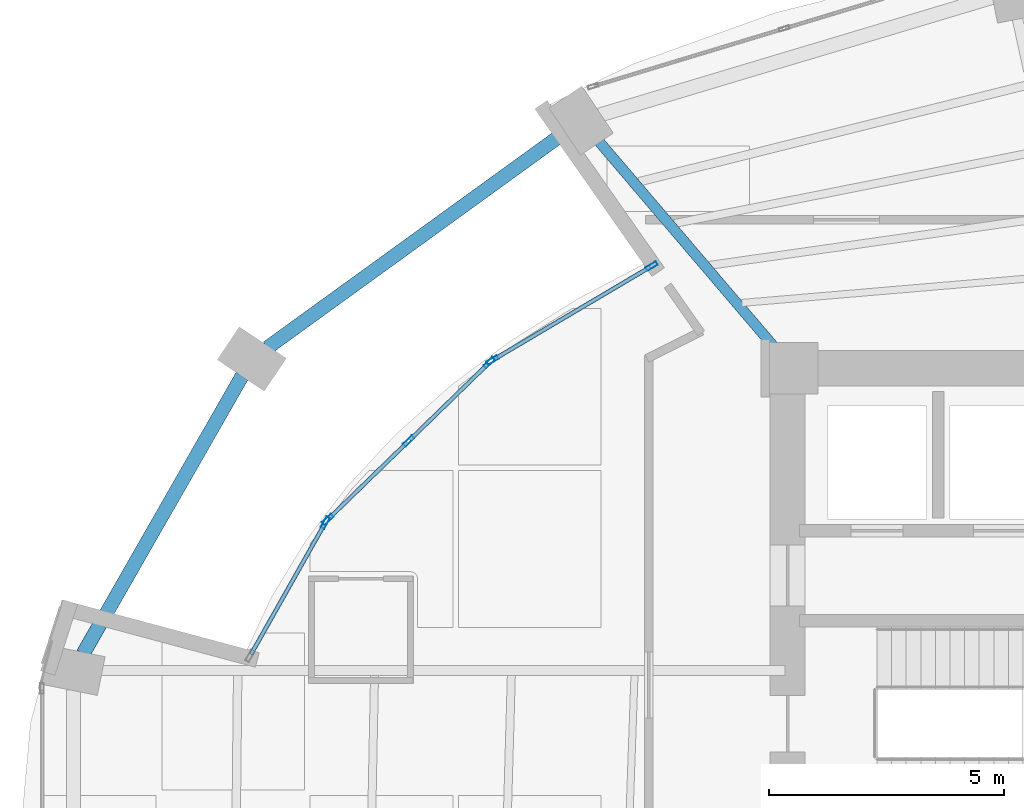
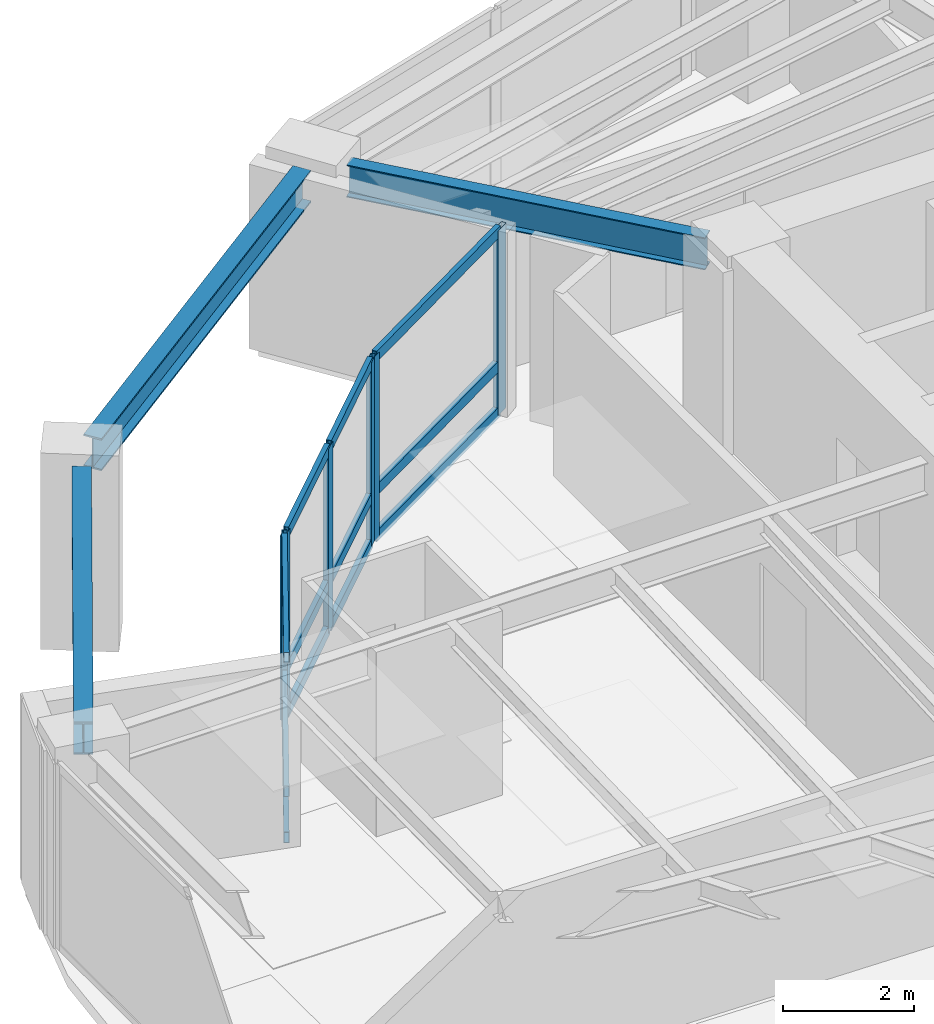
# One storey, part 9 of 24: 18 members, 3 beams, 3 elements without a shape of their own.
"""IFC4 building model written with IfcOpenShell, lengths in metres."""

import ifcopenshell
import ifcopenshell.guid

model = None  # the IFC model being written
_history = None  # IfcOwnerHistory: only IFC2X3 demands one
_inside = {}  # id of a spatial element -> (the spatial element, [elements in it])
_under = {}  # id of a project, library or spatial element -> (it, [spatial elements below it])
_declared = {}  # id of a project -> (the project, [libraries it declares])
_typed = {}  # id of a type object -> (the type object, [elements of that type])
_made_of = {}  # id of a material, layer set ... -> (it, [elements and type objects made of it])


def new_model(schema):
    """Start an empty IFC model of exactly this schema.

    Asked for "IFC4X3", IfcOpenShell would pick the latest addendum, in which some entities
    have other attributes; the version numbers below select the first issue.
    IFC2X3 requires an IfcOwnerHistory on every rooted entity: one is made here for all.
    """
    global model, _history
    if schema == "IFC4X3":
        model = ifcopenshell.file(schema_version=(4, 3, 0, 0))
    else:
        model = ifcopenshell.file(schema=schema)
    _inside.clear()
    _under.clear()
    _declared.clear()
    _typed.clear()
    _made_of.clear()
    _history = None
    if model.schema == "IFC2X3":
        org = make("IfcOrganization", Name="unknown")
        user = make(
            "IfcPersonAndOrganization",
            ThePerson=make("IfcPerson", FamilyName="unknown"),
            TheOrganization=org,
        )
        app = make(
            "IfcApplication",
            ApplicationDeveloper=org,
            Version="unknown",
            ApplicationFullName="unknown",
            ApplicationIdentifier="unknown",
        )
        _history = make(
            "IfcOwnerHistory",
            OwningUser=user,
            OwningApplication=app,
            ChangeAction="ADDED",
            CreationDate=0,
        )
    return model


def make(cls, **values):
    """One entity of the class cls with the attributes given. An attribute that is None is left unset."""
    return model.create_entity(
        cls, **{name: value for name, value in values.items() if value is not None}
    )


def rooted(cls, **values):
    """An entity with a GlobalId (a new one), such as an element, a storey or a relation."""
    return make(cls, GlobalId=ifcopenshell.guid.new(), OwnerHistory=_history, **values)


def si_unit(unit_type, name, prefix=None):
    """IfcSIUnit, for example si_unit("LENGTHUNIT", "METRE", prefix="MILLI")."""
    return make("IfcSIUnit", UnitType=unit_type, Prefix=prefix, Name=name)


def assignment(units):
    """IfcUnitAssignment: the units of a project."""
    return None if units is None else make("IfcUnitAssignment", Units=units)


def point(xyz):
    """IfcCartesianPoint."""
    return None if xyz is None else make("IfcCartesianPoint", Coordinates=xyz)


def direction(xyz):
    """IfcDirection."""
    return None if xyz is None else make("IfcDirection", DirectionRatios=xyz)


def frame(location, z_axis=None, x_axis=None):
    """IfcAxis2Placement3D, a coordinate frame: its origin and axes. An axis left out is left unset."""
    return make(
        "IfcAxis2Placement3D",
        Location=point(location),
        Axis=direction(z_axis),
        RefDirection=direction(x_axis),
    )


def frame_2d(location, x_axis=None):
    """IfcAxis2Placement2D, a coordinate frame in the plane: its origin and x axis."""
    return make(
        "IfcAxis2Placement2D", Location=point(location), RefDirection=direction(x_axis)
    )


def origin():
    """The frame at (0, 0, 0) with its axes left unset."""
    return frame((0.0, 0.0, 0.0))


def origin_2d():
    """The frame at (0, 0) in the plane with its x axis left unset."""
    return frame_2d((0.0, 0.0))


def place(relative_to, where):
    """IfcLocalPlacement: puts the frame where relative to a parent placement (None: the world)."""
    return make(
        "IfcLocalPlacement", PlacementRelTo=relative_to, RelativePlacement=where
    )


def context(
    kind, dimensions, precision=None, world=None, true_north=None, identifier=None
):
    """IfcGeometricRepresentationContext, for example the 3D "Model" context."""
    return make(
        "IfcGeometricRepresentationContext",
        ContextIdentifier=identifier,
        ContextType=kind,
        CoordinateSpaceDimension=dimensions,
        Precision=precision,
        WorldCoordinateSystem=world,
        TrueNorth=true_north,
    )


def subcontext(parent, identifier, kind, view, scale=None):
    """IfcGeometricRepresentationSubContext, for example "Body" below "Model"."""
    return make(
        "IfcGeometricRepresentationSubContext",
        ContextIdentifier=identifier,
        ContextType=kind,
        ParentContext=parent,
        TargetScale=scale,
        TargetView=view,
    )


def project(units=None, contexts=None):
    """IfcProject with its units and contexts."""
    return rooted(
        "IfcProject",
        Name="project",
        RepresentationContexts=contexts,
        UnitsInContext=assignment(units),
    )


def spatial(cls, under=None, at=None, **own):
    """A site, building, storey or space (cls), placed at a placement, below another one or the project."""
    s = rooted(cls, ObjectPlacement=at, **own)
    if under is not None:
        _under.setdefault(under.id(), (under, []))[1].append(s)
    return s


def profile(cls, at=None, kind="AREA", **sizes):
    """A parametric profile (cls). Its sizes go by their IFC names, for example OverallWidth=200.0."""
    return make(cls, ProfileType=kind, Position=at, **sizes)


def hollow_rectangle(**sizes):
    """IfcRectangleHollowProfileDef."""
    return profile("IfcRectangleHollowProfileDef", **sizes)


def i_section(**sizes):
    """IfcIShapeProfileDef."""
    return profile("IfcIShapeProfileDef", **sizes)


def extrude(swept, where, along, depth):
    """IfcExtrudedAreaSolid: the profile swept, set in the frame where, extruded along a direction by depth."""
    return make(
        "IfcExtrudedAreaSolid",
        SweptArea=swept,
        Position=where,
        ExtrudedDirection=direction(along),
        Depth=depth,
    )


def shape(context_of_items, identifier, shape_type, items):
    """IfcShapeRepresentation: the items that make up one representation, for example the "Body"."""
    return make(
        "IfcShapeRepresentation",
        ContextOfItems=context_of_items,
        RepresentationIdentifier=identifier,
        RepresentationType=shape_type,
        Items=items,
    )


def material(Name=None, Category=None):
    """IfcMaterial."""
    return make("IfcMaterial", Name=Name, Category=Category)


def layer(
    of_material, thickness, ventilated=None, Name=None, Category=None, Priority=None
):
    """IfcMaterialLayer: one layer of a wall or slab, of a material (None: an air gap)."""
    return make(
        "IfcMaterialLayer",
        Material=of_material,
        LayerThickness=thickness,
        IsVentilated=ventilated,
        Name=Name,
        Category=Category,
        Priority=Priority,
    )


def layer_set(layers, Name=None):
    """IfcMaterialLayerSet."""
    return make("IfcMaterialLayerSet", MaterialLayers=layers, LayerSetName=Name)


def material_profile(
    of_material, cross_section, Name=None, Category=None, Priority=None
):
    """IfcMaterialProfile: a cross section and its material."""
    return make(
        "IfcMaterialProfile",
        Name=Name,
        Material=of_material,
        Profile=cross_section,
        Priority=Priority,
        Category=Category,
    )


def profile_set(profiles, Name=None, composite=None):
    """IfcMaterialProfileSet."""
    return make(
        "IfcMaterialProfileSet",
        Name=Name,
        MaterialProfiles=profiles,
        CompositeProfile=composite,
    )


def made_of(thing, what):
    """Note that an element or type object is made of a material, layer set ...; save() writes the relation."""
    if what is not None:
        _made_of.setdefault(what.id(), (what, []))[1].append(thing)
    return thing


def type_object(cls, material=None, **own):
    """A type object (cls), such as IfcWallType, which elements share."""
    return made_of(rooted(cls, **own), material)


def element(
    cls,
    number,
    at=None,
    inside=None,
    cuts=None,
    type_object=None,
    material=None,
    context=None,
    identifier="Body",
    shape_type=None,
    held_by="IfcProductDefinitionShape",
    body=None,
    shapes=None,
    **own,
):
    """One element of the class cls, such as IfcWall. Its Tag is "e" and its number.

    at: its placement. inside: the storey or other place that contains it. cuts: it is an
    opening in that element (IfcRelVoidsElement). A single representation is given by context,
    identifier, shape_type and body (its items); several are given by shapes. held_by: the class
    of the entity that holds the representations. save() writes the other relations.
    """
    e = rooted(cls, Tag="e%d" % number, ObjectPlacement=at, **own)
    if body is not None:
        shapes = [shape(context, identifier, shape_type, body)]
    if shapes is not None:
        e.Representation = make(held_by, Representations=shapes)
    if inside is not None:
        _inside.setdefault(inside.id(), (inside, []))[1].append(e)
    if cuts is not None:
        rooted(
            "IfcRelVoidsElement", RelatingBuildingElement=cuts, RelatedOpeningElement=e
        )
    if type_object is not None:
        _typed.setdefault(type_object.id(), (type_object, []))[1].append(e)
    return made_of(e, material)


def aggregate(whole, parts):
    """IfcRelAggregates: a whole, such as a stair, and the parts it consists of."""
    return rooted("IfcRelAggregates", RelatingObject=whole, RelatedObjects=parts)


def save(model, path):
    """Write the relations noted so far, then the file.

    IfcRelAggregates (storeys below a building ...), IfcRelContainedInSpatialStructure (elements
    in a storey), IfcRelDefinesByType, IfcRelAssociatesMaterial and IfcRelDeclares: one each for
    every whole, place, type object, material and project.
    """
    for whole, parts in _under.values():
        aggregate(whole, parts)
    for where, things in _inside.values():
        rooted(
            "IfcRelContainedInSpatialStructure",
            RelatedElements=things,
            RelatingStructure=where,
        )
    for kind, things in _typed.values():
        rooted("IfcRelDefinesByType", RelatedObjects=things, RelatingType=kind)
    for what, things in _made_of.values():
        rooted("IfcRelAssociatesMaterial", RelatedObjects=things, RelatingMaterial=what)
    for by, libraries in _declared.values():
        rooted("IfcRelDeclares", RelatingContext=by, RelatedDefinitions=libraries)
    model.write(path)


model = new_model("IFC4")

# Units and contexts
model_context = context("Model", 3, precision=1e-05, world=origin(), true_north=direction((0.0, 1.0)))
body_context = subcontext(model_context, "Body", "Model", "MODEL_VIEW")
ifc_project = project(units=[si_unit("LENGTHUNIT", "METRE"), si_unit("AREAUNIT", "SQUARE_METRE"), si_unit("VOLUMEUNIT", "CUBIC_METRE"), si_unit("PLANEANGLEUNIT", "RADIAN"), si_unit("MASSUNIT", "GRAM", prefix="KILO")], contexts=[model_context])

# Site, building, storey
site_placement = place(None, origin())
site = spatial("IfcSite", under=ifc_project, at=site_placement, CompositionType="ELEMENT")
building_placement = place(site_placement, origin())
building = spatial("IfcBuilding", under=site, at=building_placement, Name="Lazwardi Medical Tower", CompositionType="ELEMENT")
storey_placement = place(building_placement, frame((0.0, 0.0, 114.575927734375)))
storey = spatial("IfcBuildingStorey", under=building, at=storey_placement, Name="L29", CompositionType="ELEMENT", Elevation=114.575927734375)

# Beams
ifc_material_1 = material(Name="Steel S355", Category="steel")
ifc_material_profile_1 = material_profile(ifc_material_1, i_section(OverallWidth=0.300048828125, OverallDepth=0.60009765625, WebThickness=0.015380859375, FlangeThickness=0.030029296875, at=origin_2d()), Name="HEB 600")
ifc_profile_set_1 = profile_set([ifc_material_profile_1], Name="Steel S355")
beam_type_1 = type_object("IfcBeamType", Name="BM-RB-Z2", PredefinedType="BEAM", material=ifc_profile_set_1)
beam_1_placement = place(storey_placement, frame((21.584228515625, 40.6171875, 3.128173828125), z_axis=(-0.810041907649, -0.586371987609, 0.0), x_axis=(0.586371987609, -0.810041907649, 0.0)))
element("IfcBeam", 1, at=beam_1_placement, inside=storey, type_object=beam_type_1, Name="Ring beam RB-03 B10 L29", PredefinedType="BEAM", context=body_context, shape_type="SweptSolid", body=[
    extrude(i_section(OverallWidth=0.300048828125, OverallDepth=0.60009765625, WebThickness=0.015380859375, FlangeThickness=0.030029296875, at=origin_2d()), origin(), (0.0, 0.0, 1.0), 7.814208984375),
])
beam_2_placement = place(storey_placement, frame((14.718505859375, 35.438720703125, 3.128173828125), z_axis=(-0.496653025517, -0.867949176072, 0.0), x_axis=(0.867949176072, -0.496653025517, 0.0)))
element("IfcBeam", 2, at=beam_2_placement, inside=storey, type_object=beam_type_1, Name="Ring beam RB-03 B11 L29", PredefinedType="BEAM", context=body_context, shape_type="SweptSolid", body=[
    extrude(i_section(OverallWidth=0.300048828125, OverallDepth=0.60009765625, WebThickness=0.015380859375, FlangeThickness=0.030029296875, at=origin_2d()), origin(), (0.0, 0.0, 1.0), 6.80078125),
])
ifc_material_profile_2 = material_profile(ifc_material_1, i_section(OverallWidth=0.219970703125, OverallDepth=0.60009765625, WebThickness=0.011962890625, FlangeThickness=0.01904296875, at=origin_2d()), Name="IPE 600")
ifc_profile_set_2 = profile_set([ifc_material_profile_2], Name="Steel S355")
beam_type_2 = type_object("IfcBeamType", Name="BM-RG-W1", PredefinedType="BEAM", material=ifc_profile_set_2)
beam_3_placement = place(storey_placement, frame((22.292724609375, 40.416259765625, 3.128173828125), z_axis=(0.648870567436, -0.760898801889, 0.0), x_axis=(0.760898801889, 0.648870567436, 0.0)))
element("IfcBeam", 3, at=beam_3_placement, inside=storey, type_object=beam_type_2, Name="Radial girder RG-02 R10 L29", PredefinedType="BEAM", context=body_context, shape_type="SweptSolid", body=[
    extrude(i_section(OverallWidth=0.219970703125, OverallDepth=0.60009765625, WebThickness=0.011962890625, FlangeThickness=0.01904296875, at=origin_2d()), origin(), (0.0, 0.0, 1.0), 5.794677734375),
])

# Curtain wall, members
ifc_material_2 = material(Name="Anodised bronze aluminium and solar control glazing", Category="aluminium")
ifc_layer = layer(ifc_material_2, 0.239990234375)
ifc_layer_set = layer_set([ifc_layer], Name="Anodised bronze aluminium and solar control glazing")
curtain_wall_type = type_object("IfcCurtainWallType", Name="CW-SYS-05", PredefinedType="NOTDEFINED", material=ifc_layer_set)
curtain_wall_1_placement = place(storey_placement, origin())
curtain_wall_1 = element("IfcCurtainWall", 4, at=curtain_wall_1_placement, inside=storey, type_object=curtain_wall_type, Name="L29 Unitised bronze curtain wall CW-05", PredefinedType="NOTDEFINED")
ifc_material_3 = material(Name="Anodised bronze aluminium", Category="aluminium")
ifc_material_profile_3 = material_profile(ifc_material_3, hollow_rectangle(XDim=0.0849609375, YDim=0.260009765625, WallThickness=0.0048828125, at=origin_2d()), Name="ALU-MULLION 260x85x5")
ifc_profile_set_3 = profile_set([ifc_material_profile_3], Name="Anodised bronze aluminium")
member_type_1 = type_object("IfcMemberType", Name="CW-MUL-02", PredefinedType="MULLION", material=ifc_profile_set_3)
member_1_placement = place(storey_placement, frame((23.41357421875, 37.767333984375, 0.0), z_axis=(0.0, 0.0, 1.0), x_axis=(0.508918324488, -0.860814811095, 0.0)))
member_1 = element("IfcMember", 5, at=member_1_placement, type_object=member_type_1, Name="CW-05 mullion 1", PredefinedType="MULLION", context=body_context, shape_type="SweptSolid", body=[
    extrude(hollow_rectangle(XDim=0.0849609375, YDim=0.260009765625, WallThickness=0.0048828125, at=origin_2d()), origin(), (0.0, 0.0, 1.0), 3.427978515625),
])
member_2_placement = place(storey_placement, frame((20.03466796875, 35.769775390625, 0.0), z_axis=(0.0, 0.0, 1.0), x_axis=(0.508918324488, -0.860814811095, 0.0)))
member_2 = element("IfcMember", 6, at=member_2_placement, type_object=member_type_1, Name="CW-05 mullion 2", PredefinedType="MULLION", context=body_context, shape_type="SweptSolid", body=[
    extrude(hollow_rectangle(XDim=0.0849609375, YDim=0.260009765625, WallThickness=0.0048828125, at=origin_2d()), origin(), (0.0, 0.0, 1.0), 3.427978515625),
])

# Curtain wall, member
curtain_wall_2_placement = place(storey_placement, origin())
curtain_wall_2 = element("IfcCurtainWall", 7, at=curtain_wall_2_placement, inside=storey, type_object=curtain_wall_type, Name="L29 Unitised bronze curtain wall CW-05", PredefinedType="NOTDEFINED")
member_3_placement = place(storey_placement, frame((16.48388671875, 32.318359375, 0.0), z_axis=(0.0, 0.0, 1.0), x_axis=(0.870845840727, -0.491556224341, 0.0)))
member_3 = element("IfcMember", 8, at=member_3_placement, type_object=member_type_1, Name="CW-05 mullion 1", PredefinedType="MULLION", context=body_context, shape_type="SweptSolid", body=[
    extrude(hollow_rectangle(XDim=0.0849609375, YDim=0.260009765625, WallThickness=0.0048828125, at=origin_2d()), origin(), (0.0, 0.0, 1.0), 3.427978515625),
])

# Curtain wall, members
curtain_wall_3_placement = place(storey_placement, origin())
curtain_wall_3 = element("IfcCurtainWall", 9, at=curtain_wall_3_placement, inside=storey, type_object=curtain_wall_type, Name="L29 Unitised bronze curtain wall CW-05", PredefinedType="NOTDEFINED")
member_4_placement = place(storey_placement, frame((19.967529296875, 35.718505859375, 0.0), z_axis=(0.0, 0.0, 1.0), x_axis=(0.696712326756, -0.717350635147, 0.0)))
member_4 = element("IfcMember", 10, at=member_4_placement, type_object=member_type_1, Name="CW-05 mullion 1", PredefinedType="MULLION", context=body_context, shape_type="SweptSolid", body=[
    extrude(hollow_rectangle(XDim=0.0849609375, YDim=0.260009765625, WallThickness=0.0048828125, at=origin_2d()), origin(), (0.0, 0.0, 1.0), 3.427978515625),
])
member_5_placement = place(storey_placement, frame((18.25146484375, 34.0517578125, 0.0), z_axis=(0.0, 0.0, 1.0), x_axis=(0.696712326756, -0.717350635147, 0.0)))
member_5 = element("IfcMember", 11, at=member_5_placement, type_object=member_type_1, Name="CW-05 mullion 2", PredefinedType="MULLION", context=body_context, shape_type="SweptSolid", body=[
    extrude(hollow_rectangle(XDim=0.0849609375, YDim=0.260009765625, WallThickness=0.0048828125, at=origin_2d()), origin(), (0.0, 0.0, 1.0), 3.427978515625),
])
member_6_placement = place(storey_placement, frame((16.535400390625, 32.385009765625, 0.0), z_axis=(0.0, 0.0, 1.0), x_axis=(0.696712326756, -0.717350635147, 0.0)))
member_6 = element("IfcMember", 12, at=member_6_placement, type_object=member_type_1, Name="CW-05 mullion 3", PredefinedType="MULLION", context=body_context, shape_type="SweptSolid", body=[
    extrude(hollow_rectangle(XDim=0.0849609375, YDim=0.260009765625, WallThickness=0.0048828125, at=origin_2d()), origin(), (0.0, 0.0, 1.0), 3.427978515625),
])

# Member
ifc_material_profile_4 = material_profile(ifc_material_3, hollow_rectangle(XDim=0.0849609375, YDim=0.199951171875, WallThickness=0.00439453125, at=origin_2d()), Name="ALU-TRANSOM 200x85x4.5")
ifc_profile_set_4 = profile_set([ifc_material_profile_4], Name="Anodised bronze aluminium")
member_type_2 = type_object("IfcMemberType", Name="CW-TRN-02", PredefinedType="USERDEFINED", material=ifc_profile_set_4)
member_7_placement = place(storey_placement, frame((23.376953125, 37.745849609375, 0.04248046875), z_axis=(-0.86078474446, -0.508969177559, 0.0), x_axis=(0.508969177559, -0.86078474446, 0.0)))
member_7 = element("IfcMember", 13, at=member_7_placement, type_object=member_type_2, Name="CW-05 transom 1.1", ObjectType="TRANSOM", PredefinedType="USERDEFINED", context=body_context, shape_type="SweptSolid", body=[
    extrude(hollow_rectangle(XDim=0.0849609375, YDim=0.199951171875, WallThickness=0.00439453125, at=origin_2d()), origin(), (0.0, 0.0, 1.0), 3.84033203125),
])

member_8_placement = place(storey_placement, frame((23.376953125, 37.745849609375, 0.900146484375), z_axis=(-0.86078474446, -0.508969177559, 0.0), x_axis=(0.508969177559, -0.86078474446, 0.0)))
member_8 = element("IfcMember", 14, at=member_8_placement, type_object=member_type_2, Name="CW-05 transom 1.2", ObjectType="TRANSOM", PredefinedType="USERDEFINED", context=body_context, shape_type="SweptSolid", body=[
    extrude(hollow_rectangle(XDim=0.0849609375, YDim=0.199951171875, WallThickness=0.00439453125, at=origin_2d()), origin(), (0.0, 0.0, 1.0), 3.84033203125),
])

member_9_placement = place(storey_placement, frame((23.376953125, 37.745849609375, 3.385498046875), z_axis=(-0.86078474446, -0.508969177559, 0.0), x_axis=(0.508969177559, -0.86078474446, 0.0)))
member_9 = element("IfcMember", 15, at=member_9_placement, type_object=member_type_2, Name="CW-05 transom 1.3", ObjectType="TRANSOM", PredefinedType="USERDEFINED", context=body_context, shape_type="SweptSolid", body=[
    extrude(hollow_rectangle(XDim=0.0849609375, YDim=0.199951171875, WallThickness=0.00439453125, at=origin_2d()), origin(), (0.0, 0.0, 1.0), 3.84033203125),
])

aggregate(curtain_wall_1, [member_1, member_2, member_7, member_8, member_9])

member_10_placement = place(storey_placement, frame((16.463134765625, 32.281494140625, 0.04248046875), z_axis=(-0.491571725412, -0.870837090836, 0.0), x_axis=(0.870837090836, -0.491571725412, 0.0)))
member_10 = element("IfcMember", 16, at=member_10_placement, type_object=member_type_2, Name="CW-05 transom 1.1", ObjectType="TRANSOM", PredefinedType="USERDEFINED", context=body_context, shape_type="SweptSolid", body=[
    extrude(hollow_rectangle(XDim=0.0849609375, YDim=0.199951171875, WallThickness=0.00439453125, at=origin_2d()), origin(), (0.0, 0.0, 1.0), 3.165283203125),
])

member_11_placement = place(storey_placement, frame((16.463134765625, 32.281494140625, 0.900146484375), z_axis=(-0.491571725412, -0.870837090836, 0.0), x_axis=(0.870837090836, -0.491571725412, 0.0)))
member_11 = element("IfcMember", 17, at=member_11_placement, type_object=member_type_2, Name="CW-05 transom 1.2", ObjectType="TRANSOM", PredefinedType="USERDEFINED", context=body_context, shape_type="SweptSolid", body=[
    extrude(hollow_rectangle(XDim=0.0849609375, YDim=0.199951171875, WallThickness=0.00439453125, at=origin_2d()), origin(), (0.0, 0.0, 1.0), 3.165283203125),
])

member_12_placement = place(storey_placement, frame((16.463134765625, 32.281494140625, 3.385498046875), z_axis=(-0.491571725412, -0.870837090836, 0.0), x_axis=(0.870837090836, -0.491571725412, 0.0)))
member_12 = element("IfcMember", 18, at=member_12_placement, type_object=member_type_2, Name="CW-05 transom 1.3", ObjectType="TRANSOM", PredefinedType="USERDEFINED", context=body_context, shape_type="SweptSolid", body=[
    extrude(hollow_rectangle(XDim=0.0849609375, YDim=0.199951171875, WallThickness=0.00439453125, at=origin_2d()), origin(), (0.0, 0.0, 1.0), 3.165283203125),
])

aggregate(curtain_wall_2, [member_3, member_10, member_11, member_12])

member_13_placement = place(storey_placement, frame((19.93701171875, 35.68896484375, 0.04248046875), z_axis=(-0.71729600119, -0.696768574691, 0.0), x_axis=(0.696768574691, -0.71729600119, 0.0)))
member_13 = element("IfcMember", 19, at=member_13_placement, type_object=member_type_2, Name="CW-05 transom 1.1", ObjectType="TRANSOM", PredefinedType="USERDEFINED", context=body_context, shape_type="SweptSolid", body=[
    extrude(hollow_rectangle(XDim=0.0849609375, YDim=0.199951171875, WallThickness=0.00439453125, at=origin_2d()), origin(), (0.0, 0.0, 1.0), 2.307373046875),
])

member_14_placement = place(storey_placement, frame((19.93701171875, 35.68896484375, 0.900146484375), z_axis=(-0.71729600119, -0.696768574691, 0.0), x_axis=(0.696768574691, -0.71729600119, 0.0)))
member_14 = element("IfcMember", 20, at=member_14_placement, type_object=member_type_2, Name="CW-05 transom 1.2", ObjectType="TRANSOM", PredefinedType="USERDEFINED", context=body_context, shape_type="SweptSolid", body=[
    extrude(hollow_rectangle(XDim=0.0849609375, YDim=0.199951171875, WallThickness=0.00439453125, at=origin_2d()), origin(), (0.0, 0.0, 1.0), 2.307373046875),
])

member_15_placement = place(storey_placement, frame((19.93701171875, 35.68896484375, 3.385498046875), z_axis=(-0.71729600119, -0.696768574691, 0.0), x_axis=(0.696768574691, -0.71729600119, 0.0)))
member_15 = element("IfcMember", 21, at=member_15_placement, type_object=member_type_2, Name="CW-05 transom 1.3", ObjectType="TRANSOM", PredefinedType="USERDEFINED", context=body_context, shape_type="SweptSolid", body=[
    extrude(hollow_rectangle(XDim=0.0849609375, YDim=0.199951171875, WallThickness=0.00439453125, at=origin_2d()), origin(), (0.0, 0.0, 1.0), 2.307373046875),
])

member_16_placement = place(storey_placement, frame((18.220947265625, 34.022216796875, 0.04248046875), z_axis=(-0.71734736538, -0.696715693366, 0.0), x_axis=(0.696715693366, -0.71734736538, 0.0)))
member_16 = element("IfcMember", 22, at=member_16_placement, type_object=member_type_2, Name="CW-05 transom 2.1", ObjectType="TRANSOM", PredefinedType="USERDEFINED", context=body_context, shape_type="SweptSolid", body=[
    extrude(hollow_rectangle(XDim=0.0849609375, YDim=0.199951171875, WallThickness=0.00439453125, at=origin_2d()), origin(), (0.0, 0.0, 1.0), 2.307373046875),
])

member_17_placement = place(storey_placement, frame((18.220947265625, 34.022216796875, 0.900146484375), z_axis=(-0.71734736538, -0.696715693366, 0.0), x_axis=(0.696715693366, -0.71734736538, 0.0)))
member_17 = element("IfcMember", 23, at=member_17_placement, type_object=member_type_2, Name="CW-05 transom 2.2", ObjectType="TRANSOM", PredefinedType="USERDEFINED", context=body_context, shape_type="SweptSolid", body=[
    extrude(hollow_rectangle(XDim=0.0849609375, YDim=0.199951171875, WallThickness=0.00439453125, at=origin_2d()), origin(), (0.0, 0.0, 1.0), 2.307373046875),
])

member_18_placement = place(storey_placement, frame((18.220947265625, 34.022216796875, 3.385498046875), z_axis=(-0.71734736538, -0.696715693366, 0.0), x_axis=(0.696715693366, -0.71734736538, 0.0)))
member_18 = element("IfcMember", 24, at=member_18_placement, type_object=member_type_2, Name="CW-05 transom 2.3", ObjectType="TRANSOM", PredefinedType="USERDEFINED", context=body_context, shape_type="SweptSolid", body=[
    extrude(hollow_rectangle(XDim=0.0849609375, YDim=0.199951171875, WallThickness=0.00439453125, at=origin_2d()), origin(), (0.0, 0.0, 1.0), 2.307373046875),
])

aggregate(curtain_wall_3, [member_4, member_5, member_6, member_13, member_14, member_15, member_16, member_17, member_18])

save(model, "model.ifc")
